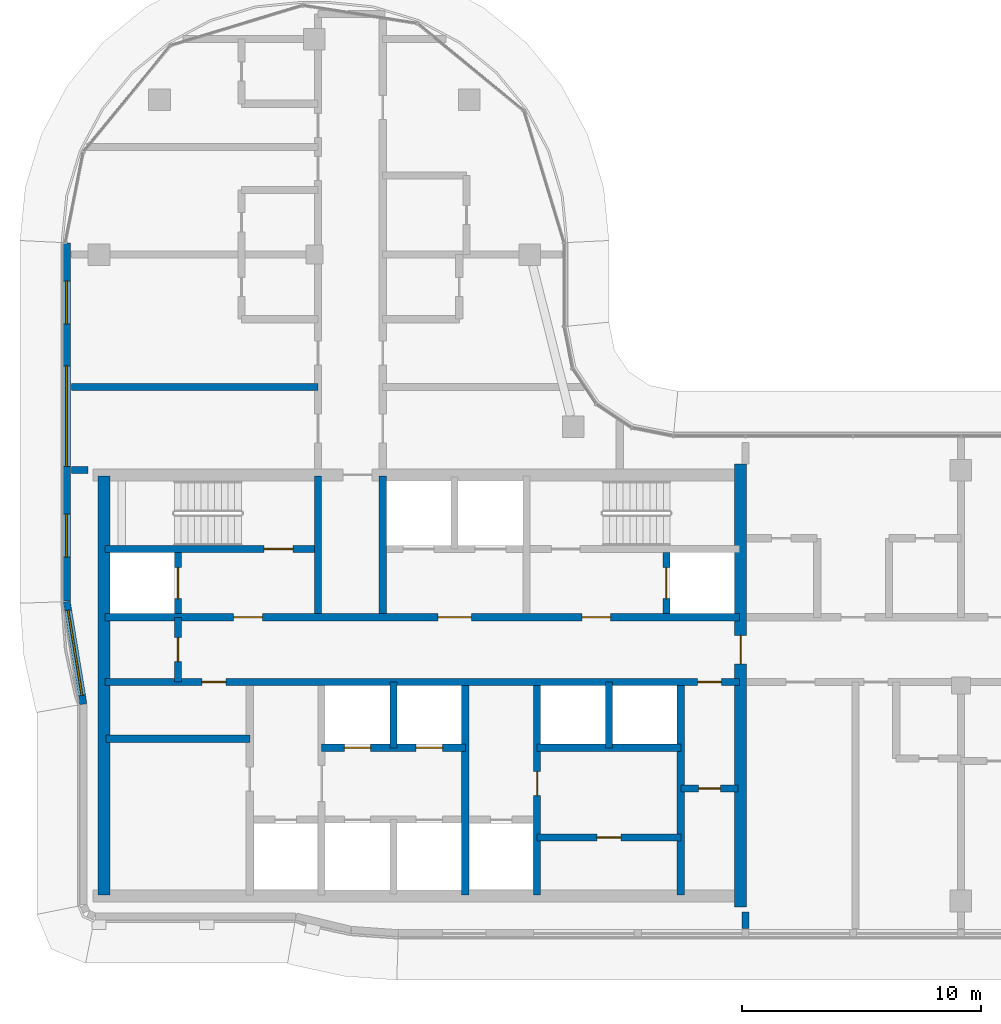
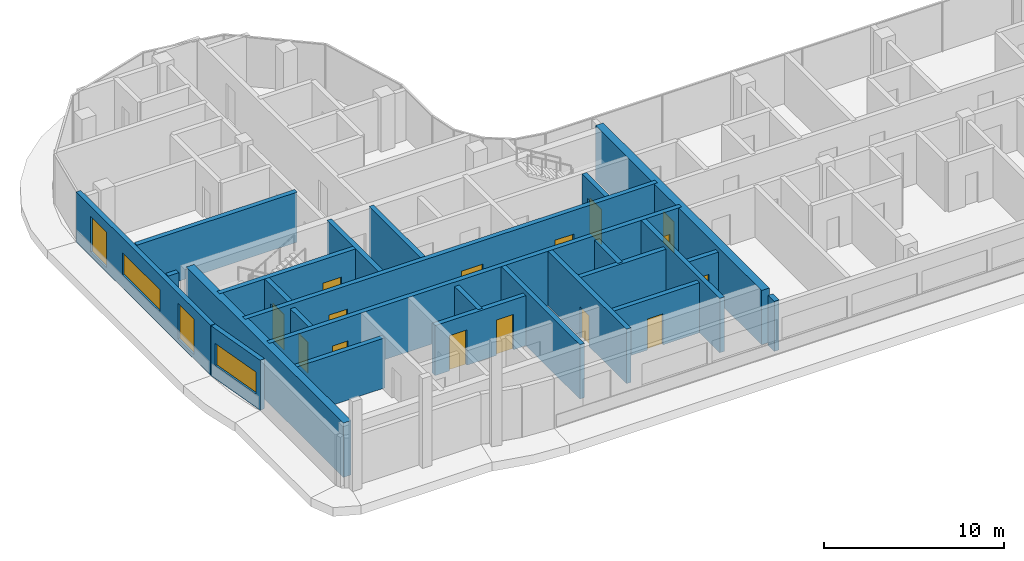
# One storey, part 9 of 21: 25 walls, 15 doors, 4 windows, 19 openings.
"""IFC4 building model written with IfcOpenShell, lengths in metres."""

from ifc_helpers import new_model, si_unit, direction, frame, frame_2d, origin, place, context, subcontext, project, spatial, rectangle, extrude, material, layer, layer_set, type_object, element, fill, save


model = new_model("IFC4")

# Units and contexts
model_context = context("Model", 3, precision=1e-05, world=origin(), true_north=direction((0.0, 1.0)))
body_context = subcontext(model_context, "Body", "Model", "MODEL_VIEW")
ifc_project = project(units=[si_unit("LENGTHUNIT", "METRE"), si_unit("AREAUNIT", "SQUARE_METRE"), si_unit("VOLUMEUNIT", "CUBIC_METRE"), si_unit("PLANEANGLEUNIT", "RADIAN"), si_unit("MASSUNIT", "GRAM", prefix="KILO")], contexts=[model_context])

# Site, building, storey
site_placement = place(None, origin())
site = spatial("IfcSite", under=ifc_project, at=site_placement, CompositionType="ELEMENT")
building_placement = place(site_placement, origin())
building = spatial("IfcBuilding", under=site, at=building_placement, Name="Ogive Portal Towers", CompositionType="ELEMENT")
storey_placement = place(building_placement, frame((0.0, 0.0, 225.39990234375)))
storey = spatial("IfcBuildingStorey", under=building, at=storey_placement, Name="L56", CompositionType="ELEMENT", Elevation=225.39990234375)

# Wall
ifc_material_1 = material(Name="Concrete C60/75", Category="concrete")
ifc_layer_1 = layer(ifc_material_1, 0.300048828125)
ifc_layer_set_1 = layer_set([ifc_layer_1], Name="CORE WALL 300 C60")
wall_type_1 = type_object("IfcWallType", Name="CORE WALL 300 C60", PredefinedType="SHEAR", material=ifc_layer_set_1)
wall_1_placement = place(storey_placement, frame((46.800048828125, 21.75, 0.0), z_axis=(0.0, 0.0, 1.0), x_axis=(0.0, 1.0, 0.0)))
element("IfcWall", 1, at=wall_1_placement, inside=storey, type_object=wall_type_1, Name="Core wall X3 L56", PredefinedType="SHEAR", context=body_context, shape_type="SweptSolid", body=[
    extrude(rectangle(XDim=8.75, YDim=0.300048828125, at=frame_2d((4.375, 0.0))), origin(), (0.0, 0.0, 1.0), 3.7001953125),
])

# Wall, opening, door
wall_2_placement = place(storey_placement, frame((49.800048828125, 21.75, 0.0), z_axis=(0.0, 0.0, 1.0), x_axis=(0.0, 1.0, 0.0)))
wall_2 = element("IfcWall", 2, at=wall_2_placement, inside=storey, type_object=wall_type_1, Name="Core wall X4 L56", PredefinedType="SHEAR", context=body_context, shape_type="SweptSolid", body=[
    extrude(rectangle(XDim=8.75, YDim=0.300048828125, at=frame_2d((4.375, 0.0))), origin(), (0.0, 0.0, 1.0), 3.7001953125),
])
opening_1_placement = place(wall_2_placement, frame((4.14990234375, 0.0, 0.0)))
opening_1 = element("IfcOpeningElement", 3, at=opening_1_placement, cuts=wall_2, Name="Opening D25-023", PredefinedType="OPENING", context=body_context, shape_type="SweptSolid", body=[
    extrude(rectangle(XDim=1.0, YDim=2.10009765625, at=frame_2d((0.5, 1.050048828125))), frame((0.0, 0.16015625, 0.0), z_axis=(0.0, -1.0, 0.0), x_axis=(1.0, 0.0, 0.0)), (0.0, 0.0, 1.0), 0.320068359375),
])
ifc_material_2 = material(Name="Steel fire door", Category="steel")
door_type_1 = type_object("IfcDoorType", Name="DT-SWING-1000x2100-FD90S", OperationType="SINGLE_SWING_LEFT", PredefinedType="DOOR", material=ifc_material_2)
door_1_placement = place(opening_1_placement, origin())
door_1 = element("IfcDoor", 4, at=door_1_placement, inside=storey, type_object=door_type_1, Name="Door D25-023", OperationType="SINGLE_SWING_LEFT", OverallHeight=2.10009765625, OverallWidth=1.0, PredefinedType="DOOR", context=body_context, shape_type="SweptSolid", body=[
    extrude(rectangle(XDim=1.0, YDim=2.10009765625, at=frame_2d((0.5, 1.050048828125))), frame((0.0, 0.02490234375, 0.0), z_axis=(0.0, -1.0, 0.0), x_axis=(1.0, 0.0, 0.0)), (0.0, 0.0, 1.0), 0.050048828125),
])
fill(opening_1, door_1)

# Wall
wall_3_placement = place(storey_placement, frame((55.800048828125, 21.75, 0.0), z_axis=(0.0, 0.0, 1.0), x_axis=(0.0, 1.0, 0.0)))
element("IfcWall", 5, at=wall_3_placement, inside=storey, type_object=wall_type_1, Name="Core wall X5 L56", PredefinedType="SHEAR", context=body_context, shape_type="SweptSolid", body=[
    extrude(rectangle(XDim=8.75, YDim=0.300048828125, at=frame_2d((4.375, 0.0))), origin(), (0.0, 0.0, 1.0), 3.7001953125),
])

# Wall, openings, doors
wall_4_placement = place(storey_placement, frame((31.75, 30.64990234375, 0.0), z_axis=(0.0, 0.0, 1.0), x_axis=(1.0, 0.0, 0.0)))
wall_4 = element("IfcWall", 6, at=wall_4_placement, inside=storey, type_object=wall_type_1, Name="Core wall Y1 L56", PredefinedType="SHEAR", context=body_context, shape_type="SweptSolid", body=[
    extrude(rectangle(XDim=26.5, YDim=0.300048828125, at=frame_2d((13.25, 0.0))), origin(), (0.0, 0.0, 1.0), 3.7001953125),
])
opening_2_placement = place(wall_4_placement, frame((24.75, 0.0, 0.0)))
opening_2 = element("IfcOpeningElement", 7, at=opening_2_placement, cuts=wall_4, Name="Opening D25-009", PredefinedType="OPENING", context=body_context, shape_type="SweptSolid", body=[
    extrude(rectangle(XDim=1.0, YDim=2.10009765625, at=frame_2d((0.5, 1.050048828125))), frame((0.0, 0.16015625, 0.0), z_axis=(0.0, -1.0, 0.0), x_axis=(1.0, 0.0, 0.0)), (0.0, 0.0, 1.0), 0.320068359375),
])
opening_3_placement = place(wall_4_placement, frame((4.050048828125, 0.0, 0.0)))
opening_3 = element("IfcOpeningElement", 8, at=opening_3_placement, cuts=wall_4, Name="Opening D25-021", PredefinedType="OPENING", context=body_context, shape_type="SweptSolid", body=[
    extrude(rectangle(XDim=1.0, YDim=2.10009765625, at=frame_2d((0.5, 1.050048828125))), frame((0.0, 0.16015625, 0.0), z_axis=(0.0, -1.0, 0.0), x_axis=(1.0, 0.0, 0.0)), (0.0, 0.0, 1.0), 0.320068359375),
])
door_2_placement = place(opening_2_placement, origin())
door_2 = element("IfcDoor", 9, at=door_2_placement, inside=storey, type_object=door_type_1, Name="Door D25-009", OperationType="SINGLE_SWING_LEFT", OverallHeight=2.10009765625, OverallWidth=1.0, PredefinedType="DOOR", context=body_context, shape_type="SweptSolid", body=[
    extrude(rectangle(XDim=1.0, YDim=2.10009765625, at=frame_2d((0.5, 1.050048828125))), frame((0.0, 0.02490234375, 0.0), z_axis=(0.0, -1.0, 0.0), x_axis=(1.0, 0.0, 0.0)), (0.0, 0.0, 1.0), 0.050048828125),
])
fill(opening_2, door_2)
door_3_placement = place(opening_3_placement, origin())
door_3 = element("IfcDoor", 10, at=door_3_placement, inside=storey, type_object=door_type_1, Name="Riser access door D25-021", OperationType="SINGLE_SWING_LEFT", OverallHeight=2.10009765625, OverallWidth=1.0, PredefinedType="DOOR", context=body_context, shape_type="SweptSolid", body=[
    extrude(rectangle(XDim=1.0, YDim=2.10009765625, at=frame_2d((0.5, 1.050048828125))), frame((0.0, 0.02490234375, 0.0), z_axis=(0.0, -1.0, 0.0), x_axis=(1.0, 0.0, 0.0)), (0.0, 0.0, 1.0), 0.050048828125),
])
fill(opening_3, door_3)

wall_5_placement = place(storey_placement, frame((31.75, 33.35009765625, 0.0), z_axis=(0.0, 0.0, 1.0), x_axis=(1.0, 0.0, 0.0)))
wall_5 = element("IfcWall", 11, at=wall_5_placement, inside=storey, type_object=wall_type_1, Name="Core wall Y2 L56", PredefinedType="SHEAR", context=body_context, shape_type="SweptSolid", body=[
    extrude(rectangle(XDim=26.5, YDim=0.300048828125, at=frame_2d((13.25, 0.0))), origin(), (0.0, 0.0, 1.0), 3.7001953125),
])
opening_4_placement = place(wall_5_placement, frame((13.89990234375, 0.0, 0.0)))
opening_4 = element("IfcOpeningElement", 12, at=opening_4_placement, cuts=wall_5, Name="Opening D25-002", PredefinedType="OPENING", context=body_context, shape_type="SweptSolid", body=[
    extrude(rectangle(XDim=1.39990234375, YDim=2.10009765625, at=frame_2d((0.699951171875, 1.050048828125))), frame((0.0, 0.16015625, 0.0), z_axis=(0.0, -1.0, 0.0), x_axis=(1.0, 0.0, 0.0)), (0.0, 0.0, 1.0), 0.320068359375),
])
opening_5_placement = place(wall_5_placement, frame((5.375, 0.0, 0.0)))
opening_5 = element("IfcOpeningElement", 13, at=opening_5_placement, cuts=wall_5, Name="Opening D25-003", PredefinedType="OPENING", context=body_context, shape_type="SweptSolid", body=[
    extrude(rectangle(XDim=1.199951171875, YDim=2.10009765625, at=frame_2d((0.60009765625, 1.050048828125))), frame((0.0, 0.16015625, 0.0), z_axis=(0.0, -1.0, 0.0), x_axis=(1.0, 0.0, 0.0)), (0.0, 0.0, 1.0), 0.320068359375),
])
opening_6_placement = place(wall_5_placement, frame((19.925048828125, 0.0, 0.0)))
opening_6 = element("IfcOpeningElement", 14, at=opening_6_placement, cuts=wall_5, Name="Opening D25-004", PredefinedType="OPENING", context=body_context, shape_type="SweptSolid", body=[
    extrude(rectangle(XDim=1.199951171875, YDim=2.10009765625, at=frame_2d((0.60009765625, 1.050048828125))), frame((0.0, 0.16015625, 0.0), z_axis=(0.0, -1.0, 0.0), x_axis=(1.0, 0.0, 0.0)), (0.0, 0.0, 1.0), 0.320068359375),
])
door_type_2 = type_object("IfcDoorType", Name="DT-SWING-1200x2100-FD90S", OperationType="SINGLE_SWING_LEFT", PredefinedType="DOOR", material=ifc_material_2)
door_4_placement = place(opening_5_placement, origin())
door_4 = element("IfcDoor", 15, at=door_4_placement, inside=storey, type_object=door_type_2, Name="Door D25-003", OperationType="SINGLE_SWING_LEFT", OverallHeight=2.10009765625, OverallWidth=1.199951171875, PredefinedType="DOOR", context=body_context, shape_type="SweptSolid", body=[
    extrude(rectangle(XDim=1.199951171875, YDim=2.10009765625, at=frame_2d((0.60009765625, 1.050048828125))), frame((0.0, 0.02490234375, 0.0), z_axis=(0.0, -1.0, 0.0), x_axis=(1.0, 0.0, 0.0)), (0.0, 0.0, 1.0), 0.050048828125),
])
fill(opening_5, door_4)
door_5_placement = place(opening_6_placement, origin())
door_5 = element("IfcDoor", 16, at=door_5_placement, inside=storey, type_object=door_type_2, Name="Door D25-004", OperationType="SINGLE_SWING_RIGHT", OverallHeight=2.10009765625, OverallWidth=1.199951171875, PredefinedType="DOOR", context=body_context, shape_type="SweptSolid", body=[
    extrude(rectangle(XDim=1.199951171875, YDim=2.10009765625, at=frame_2d((0.60009765625, 1.050048828125))), frame((0.0, 0.02490234375, 0.0), z_axis=(0.0, -1.0, 0.0), x_axis=(1.0, 0.0, 0.0)), (0.0, 0.0, 1.0), 0.050048828125),
])
fill(opening_6, door_5)
door_type_3 = type_object("IfcDoorType", Name="DT-SWING-1400x2100-FD90S", OperationType="SINGLE_SWING_LEFT", PredefinedType="DOOR", material=ifc_material_2)
door_6_placement = place(opening_4_placement, origin())
door_6 = element("IfcDoor", 17, at=door_6_placement, inside=storey, type_object=door_type_3, Name="Door D25-002", OperationType="SINGLE_SWING_RIGHT", OverallHeight=2.10009765625, OverallWidth=1.39990234375, PredefinedType="DOOR", context=body_context, shape_type="SweptSolid", body=[
    extrude(rectangle(XDim=1.39990234375, YDim=2.10009765625, at=frame_2d((0.699951171875, 1.050048828125))), frame((0.0, 0.02490234375, 0.0), z_axis=(0.0, -1.0, 0.0), x_axis=(1.0, 0.0, 0.0)), (0.0, 0.0, 1.0), 0.050048828125),
])
fill(opening_4, door_6)

# Wall, opening, door
wall_6_placement = place(storey_placement, frame((31.75, 36.199951171875, 0.0), z_axis=(0.0, 0.0, 1.0), x_axis=(1.0, 0.0, 0.0)))
wall_6 = element("IfcWall", 18, at=wall_6_placement, inside=storey, type_object=wall_type_1, Name="Core wall Y3a L56", PredefinedType="SHEAR", context=body_context, shape_type="SweptSolid", body=[
    extrude(rectangle(XDim=8.75, YDim=0.300048828125, at=frame_2d((4.375, 0.0))), origin(), (0.0, 0.0, 1.0), 3.7001953125),
])
opening_7_placement = place(wall_6_placement, frame((6.64990234375, 0.0, 0.0)))
opening_7 = element("IfcOpeningElement", 19, at=opening_7_placement, cuts=wall_6, Name="Opening D25-005", PredefinedType="OPENING", context=body_context, shape_type="SweptSolid", body=[
    extrude(rectangle(XDim=1.199951171875, YDim=2.10009765625, at=frame_2d((0.60009765625, 1.050048828125))), frame((0.0, 0.16015625, 0.0), z_axis=(0.0, -1.0, 0.0), x_axis=(1.0, 0.0, 0.0)), (0.0, 0.0, 1.0), 0.320068359375),
])
door_7_placement = place(opening_7_placement, origin())
door_7 = element("IfcDoor", 20, at=door_7_placement, inside=storey, type_object=door_type_2, Name="Door D25-005", OperationType="SINGLE_SWING_RIGHT", OverallHeight=2.10009765625, OverallWidth=1.199951171875, PredefinedType="DOOR", context=body_context, shape_type="SweptSolid", body=[
    extrude(rectangle(XDim=1.199951171875, YDim=2.10009765625, at=frame_2d((0.60009765625, 1.050048828125))), frame((0.0, 0.02490234375, 0.0), z_axis=(0.0, -1.0, 0.0), x_axis=(1.0, 0.0, 0.0)), (0.0, 0.0, 1.0), 0.050048828125),
])
fill(opening_7, door_7)

# Walls
for number, where, z_axis, x_axis, name in (
    (21, (40.64990234375, 33.5, 0.0), (0.0, 0.0, 1.0), (0.0, 1.0, 0.0), "Core wall X6 L56"),
    (22, (43.35009765625, 33.5, 0.0), (0.0, 0.0, 1.0), (0.0, 1.0, 0.0), "Core wall X7 L56"),
):
    element("IfcWall", number, at=place(storey_placement, frame(where, z_axis=z_axis, x_axis=x_axis)), inside=storey, type_object=wall_type_1, Name=name, PredefinedType="SHEAR", context=body_context, shape_type="SweptSolid", body=[
        extrude(rectangle(XDim=5.75, YDim=0.300048828125, at=frame_2d((2.875, 0.0))), origin(), (0.0, 0.0, 1.0), 3.7001953125),
    ])

# Wall, opening, door
wall_7_placement = place(storey_placement, frame((34.800048828125, 33.5, 0.0), z_axis=(0.0, 0.0, 1.0), x_axis=(0.0, 1.0, 0.0)))
wall_7 = element("IfcWall", 23, at=wall_7_placement, inside=storey, type_object=wall_type_1, Name="Core wall X8 L56", PredefinedType="SHEAR", context=body_context, shape_type="SweptSolid", body=[
    extrude(rectangle(XDim=2.550048828125, YDim=0.300048828125, at=frame_2d((1.27490234375, 0.0))), origin(), (0.0, 0.0, 1.0), 3.7001953125),
])
opening_8_placement = place(wall_7_placement, frame((0.625, 0.0, 0.0)))
opening_8 = element("IfcOpeningElement", 24, at=opening_8_placement, cuts=wall_7, Name="Opening D25-019", PredefinedType="OPENING", context=body_context, shape_type="SweptSolid", body=[
    extrude(rectangle(XDim=1.300048828125, YDim=2.39990234375, at=frame_2d((0.64990234375, 1.199951171875))), frame((0.0, 0.16015625, 0.0), z_axis=(0.0, -1.0, 0.0), x_axis=(1.0, 0.0, 0.0)), (0.0, 0.0, 1.0), 0.320068359375),
])
ifc_material_3 = material(Name="Stainless steel", Category="steel")
door_type_4 = type_object("IfcDoorType", Name="DT-LD-1300x2400", OperationType="SLIDING_TO_LEFT", PredefinedType="DOOR", material=ifc_material_3)
door_8_placement = place(opening_8_placement, origin())
door_8 = element("IfcDoor", 25, at=door_8_placement, inside=storey, type_object=door_type_4, Name="Door D25-019", OperationType="SLIDING_TO_LEFT", OverallHeight=2.39990234375, OverallWidth=1.300048828125, PredefinedType="DOOR", context=body_context, shape_type="SweptSolid", body=[
    extrude(rectangle(XDim=1.300048828125, YDim=2.39990234375, at=frame_2d((0.64990234375, 1.199951171875))), frame((0.0, 0.02490234375, 0.0), z_axis=(0.0, -1.0, 0.0), x_axis=(1.0, 0.0, 0.0)), (0.0, 0.0, 1.0), 0.050048828125),
])
fill(opening_8, door_8)

wall_8_placement = place(storey_placement, frame((55.199951171875, 33.5, 0.0), z_axis=(0.0, 0.0, 1.0), x_axis=(0.0, 1.0, 0.0)))
wall_8 = element("IfcWall", 26, at=wall_8_placement, inside=storey, type_object=wall_type_1, Name="Core wall X10 L56", PredefinedType="SHEAR", context=body_context, shape_type="SweptSolid", body=[
    extrude(rectangle(XDim=2.550048828125, YDim=0.300048828125, at=frame_2d((1.27490234375, 0.0))), origin(), (0.0, 0.0, 1.0), 3.7001953125),
])
opening_9_placement = place(wall_8_placement, frame((0.625, 0.0, 0.0)))
opening_9 = element("IfcOpeningElement", 27, at=opening_9_placement, cuts=wall_8, Name="Opening D25-020", PredefinedType="OPENING", context=body_context, shape_type="SweptSolid", body=[
    extrude(rectangle(XDim=1.300048828125, YDim=2.39990234375, at=frame_2d((0.64990234375, 1.199951171875))), frame((0.0, 0.16015625, 0.0), z_axis=(0.0, -1.0, 0.0), x_axis=(1.0, 0.0, 0.0)), (0.0, 0.0, 1.0), 0.320068359375),
])
door_9_placement = place(opening_9_placement, origin())
door_9 = element("IfcDoor", 28, at=door_9_placement, inside=storey, type_object=door_type_4, Name="Door D25-020", OperationType="SLIDING_TO_LEFT", OverallHeight=2.39990234375, OverallWidth=1.300048828125, PredefinedType="DOOR", context=body_context, shape_type="SweptSolid", body=[
    extrude(rectangle(XDim=1.300048828125, YDim=2.39990234375, at=frame_2d((0.64990234375, 1.199951171875))), frame((0.0, 0.02490234375, 0.0), z_axis=(0.0, -1.0, 0.0), x_axis=(1.0, 0.0, 0.0)), (0.0, 0.0, 1.0), 0.050048828125),
])
fill(opening_9, door_9)

# Wall
ifc_layer_2 = layer(ifc_material_1, 0.5)
ifc_layer_set_2 = layer_set([ifc_layer_2], Name="CORE WALL 500 C60")
wall_type_2 = type_object("IfcWallType", Name="CORE WALL 500 C60", PredefinedType="SHEAR", material=ifc_layer_set_2)
wall_9_placement = place(storey_placement, frame((31.699951171875, 21.75, 0.0), z_axis=(0.0, 0.0, 1.0), x_axis=(0.0, 1.0, 0.0)))
element("IfcWall", 29, at=wall_9_placement, inside=storey, type_object=wall_type_2, Name="Core wall W L56", PredefinedType="SHEAR", context=body_context, shape_type="SweptSolid", body=[
    extrude(rectangle(XDim=17.5, YDim=0.5, at=frame_2d((8.75, 0.0))), origin(), (0.0, 0.0, 1.0), 3.7001953125),
])

# Wall, opening, door
wall_10_placement = place(storey_placement, frame((58.300048828125, 21.25, 0.0), z_axis=(0.0, 0.0, 1.0), x_axis=(0.0, 1.0, 0.0)))
wall_10 = element("IfcWall", 30, at=wall_10_placement, inside=storey, type_object=wall_type_2, Name="Core wall E L56", PredefinedType="SHEAR", context=body_context, shape_type="SweptSolid", body=[
    extrude(rectangle(XDim=18.5, YDim=0.5, at=frame_2d((9.25, 0.0))), origin(), (0.0, 0.0, 1.0), 3.7001953125),
])
opening_10_placement = place(wall_10_placement, frame((10.14990234375, 0.0, 0.0)))
opening_10 = element("IfcOpeningElement", 31, at=opening_10_placement, cuts=wall_10, Name="Opening D25-011", PredefinedType="OPENING", context=body_context, shape_type="SweptSolid", body=[
    extrude(rectangle(XDim=1.199951171875, YDim=2.10009765625, at=frame_2d((0.60009765625, 1.050048828125))), frame((0.0, 0.260009765625, 0.0), z_axis=(0.0, -1.0, 0.0), x_axis=(1.0, 0.0, 0.0)), (0.0, 0.0, 1.0), 0.52001953125),
])
door_10_placement = place(opening_10_placement, origin())
door_10 = element("IfcDoor", 32, at=door_10_placement, inside=storey, type_object=door_type_2, Name="Door D25-011", OperationType="SINGLE_SWING_LEFT", OverallHeight=2.10009765625, OverallWidth=1.199951171875, PredefinedType="DOOR", context=body_context, shape_type="SweptSolid", body=[
    extrude(rectangle(XDim=1.199951171875, YDim=2.10009765625, at=frame_2d((0.60009765625, 1.050048828125))), frame((0.0, 0.02490234375, 0.0), z_axis=(0.0, -1.0, 0.0), x_axis=(1.0, 0.0, 0.0)), (0.0, 0.0, 1.0), 0.050048828125),
])
fill(opening_10, door_10)

# Wall, openings, windows
ifc_material_4 = material(Name="Limestone cladding on lightweight block wall", Category="masonry")
ifc_layer_3 = layer(ifc_material_4, 0.300048828125)
ifc_layer_set_3 = layer_set([ifc_layer_3], Name="EXTERNAL WALL 300 STONE")
wall_type_3 = type_object("IfcWallType", Name="EXTERNAL WALL 300 STONE", PredefinedType="SOLIDWALL", material=ifc_layer_set_3)
wall_11_placement = place(storey_placement, frame((30.14990234375, 48.9921875, 0.0), z_axis=(0.0, 0.0, 1.0), x_axis=(0.0, -1.0, 0.0)))
wall_11 = element("IfcWall", 33, at=wall_11_placement, inside=storey, type_object=wall_type_3, Name="A:L56:f24:r0:wall", PredefinedType="SOLIDWALL", context=body_context, shape_type="SweptSolid", body=[
    extrude(rectangle(XDim=14.968017578125, YDim=0.300048828125, at=frame_2d((7.48388671875, 0.0))), origin(), (0.0, 0.0, 1.0), 3.400146484375),
])
opening_11_placement = place(wall_11_placement, frame((1.595947265625, 0.0, 0.300048828125)))
opening_11 = element("IfcOpeningElement", 34, at=opening_11_placement, cuts=wall_11, Name="Opening WN10", PredefinedType="OPENING", context=body_context, shape_type="SweptSolid", body=[
    extrude(rectangle(XDim=1.800048828125, YDim=2.39990234375, at=frame_2d((0.89990234375, 1.199951171875))), frame((0.0, 0.16015625, 0.0), z_axis=(0.0, -1.0, 0.0), x_axis=(1.0, 0.0, 0.0)), (0.0, 0.0, 1.0), 0.320068359375),
])
opening_12_placement = place(wall_11_placement, frame((5.14208984375, 0.0, 0.89990234375)))
opening_12 = element("IfcOpeningElement", 35, at=opening_12_placement, cuts=wall_11, Name="Opening WN11", PredefinedType="OPENING", context=body_context, shape_type="SweptSolid", body=[
    extrude(rectangle(XDim=4.199951171875, YDim=1.5, at=frame_2d((2.10009765625, 0.75))), frame((0.0, 0.16015625, 0.0), z_axis=(0.0, -1.0, 0.0), x_axis=(1.0, 0.0, 0.0)), (0.0, 0.0, 1.0), 0.320068359375),
])
opening_13_placement = place(wall_11_placement, frame((11.330078125, 0.0, 0.300048828125)))
opening_13 = element("IfcOpeningElement", 36, at=opening_13_placement, cuts=wall_11, Name="Opening WN10", PredefinedType="OPENING", context=body_context, shape_type="SweptSolid", body=[
    extrude(rectangle(XDim=1.800048828125, YDim=2.39990234375, at=frame_2d((0.89990234375, 1.199951171875))), frame((0.0, 0.16015625, 0.0), z_axis=(0.0, -1.0, 0.0), x_axis=(1.0, 0.0, 0.0)), (0.0, 0.0, 1.0), 0.320068359375),
])
ifc_material_5 = material(Name="Glass, clear low-iron insulated glazing", Category="glass")
window_type_1 = type_object("IfcWindowType", Name="WINDOW RIBBON 4200x1500", PartitioningType="TRIPLE_PANEL_VERTICAL", PredefinedType="WINDOW", material=ifc_material_5)
window_1_placement = place(opening_12_placement, origin())
window_1 = element("IfcWindow", 37, at=window_1_placement, inside=storey, type_object=window_type_1, Name="A:L56:f24:r0:w1", OverallHeight=1.5, OverallWidth=4.199951171875, PartitioningType="SINGLE_PANEL", PredefinedType="WINDOW", context=body_context, shape_type="SweptSolid", body=[
    extrude(rectangle(XDim=4.199951171875, YDim=1.5, at=frame_2d((2.10009765625, 0.75))), frame((0.0, 0.030029296875, 0.0), z_axis=(0.0, -1.0, 0.0), x_axis=(1.0, 0.0, 0.0)), (0.0, 0.0, 1.0), 0.06005859375),
])
fill(opening_12, window_1)
window_type_2 = type_object("IfcWindowType", Name="WINDOW SUITE CORNER 1800x2400", PartitioningType="DOUBLE_PANEL_VERTICAL", PredefinedType="WINDOW", material=ifc_material_5)
window_2_placement = place(opening_11_placement, origin())
window_2 = element("IfcWindow", 38, at=window_2_placement, inside=storey, type_object=window_type_2, Name="A:L56:f24:r0:w0", OverallHeight=2.39990234375, OverallWidth=1.800048828125, PartitioningType="SINGLE_PANEL", PredefinedType="WINDOW", context=body_context, shape_type="SweptSolid", body=[
    extrude(rectangle(XDim=1.800048828125, YDim=2.39990234375, at=frame_2d((0.89990234375, 1.199951171875))), frame((0.0, 0.030029296875, 0.0), z_axis=(0.0, -1.0, 0.0), x_axis=(1.0, 0.0, 0.0)), (0.0, 0.0, 1.0), 0.06005859375),
])
fill(opening_11, window_2)
window_3_placement = place(opening_13_placement, origin())
window_3 = element("IfcWindow", 39, at=window_3_placement, inside=storey, type_object=window_type_2, Name="A:L56:f24:r0:w2", OverallHeight=2.39990234375, OverallWidth=1.800048828125, PartitioningType="SINGLE_PANEL", PredefinedType="WINDOW", context=body_context, shape_type="SweptSolid", body=[
    extrude(rectangle(XDim=1.800048828125, YDim=2.39990234375, at=frame_2d((0.89990234375, 1.199951171875))), frame((0.0, 0.030029296875, 0.0), z_axis=(0.0, -1.0, 0.0), x_axis=(1.0, 0.0, 0.0)), (0.0, 0.0, 1.0), 0.06005859375),
])
fill(opening_13, window_3)

# Wall, opening, window
wall_12_placement = place(storey_placement, frame((30.15185546875, 34.000244140625, 0.0), z_axis=(0.0, 0.0, 1.0), x_axis=(0.160697303067, -0.987003736967, 0.0)))
wall_12 = element("IfcWall", 40, at=wall_12_placement, inside=storey, type_object=wall_type_3, Name="A:L56:f25:r0:wall", PredefinedType="SOLIDWALL", context=body_context, shape_type="SweptSolid", body=[
    extrude(rectangle(XDim=4.3330078125, YDim=0.300048828125, at=frame_2d((2.16650390625, 0.0))), origin(), (0.0, 0.0, 1.0), 3.400146484375),
])
opening_14_placement = place(wall_12_placement, frame((0.366455078125, 0.0, 0.89990234375)))
opening_14 = element("IfcOpeningElement", 41, at=opening_14_placement, cuts=wall_12, Name="Opening WN12", PredefinedType="OPENING", context=body_context, shape_type="SweptSolid", body=[
    extrude(rectangle(XDim=3.60009765625, YDim=1.5, at=frame_2d((1.800048828125, 0.75))), frame((0.0, 0.16015625, 0.0), z_axis=(0.0, -1.0, 0.0), x_axis=(1.0, 0.0, 0.0)), (0.0, 0.0, 1.0), 0.320068359375),
])
window_type_3 = type_object("IfcWindowType", Name="WINDOW RIBBON 3600x1500", PartitioningType="TRIPLE_PANEL_VERTICAL", PredefinedType="WINDOW", material=ifc_material_5)
window_4_placement = place(opening_14_placement, origin())
window_4 = element("IfcWindow", 42, at=window_4_placement, inside=storey, type_object=window_type_3, Name="A:L56:f25:r0:w0", OverallHeight=1.5, OverallWidth=3.60009765625, PartitioningType="SINGLE_PANEL", PredefinedType="WINDOW", context=body_context, shape_type="SweptSolid", body=[
    extrude(rectangle(XDim=3.60009765625, YDim=1.5, at=frame_2d((1.800048828125, 0.75))), frame((0.0, 0.030029296875, 0.0), z_axis=(0.0, -1.0, 0.0), x_axis=(1.0, 0.0, 0.0)), (0.0, 0.0, 1.0), 0.06005859375),
])
fill(opening_14, window_4)

# Wall, opening, door
ifc_material_6 = material(Name="Gypsum board partition on steel studs", Category="steel")
ifc_layer_4 = layer(ifc_material_6, 0.300048828125)
ifc_layer_set_4 = layer_set([ifc_layer_4], Name="WT-PART-300")
wall_type_4 = type_object("IfcWallType", Name="WT-PART-300", PredefinedType="PARTITIONING", material=ifc_layer_set_4)
wall_13_placement = place(storey_placement, frame((49.800048828125, 24.14990234375, 0.0), z_axis=(0.0, 0.0, 1.0), x_axis=(1.0, 0.0, 0.0)))
wall_13 = element("IfcWall", 43, at=wall_13_placement, inside=storey, type_object=wall_type_4, Name="Wall pw:001:L56", PredefinedType="PARTITIONING", context=body_context, shape_type="SweptSolid", body=[
    extrude(rectangle(XDim=6.0, YDim=0.300048828125, at=frame_2d((3.0, 0.0))), origin(), (0.0, 0.0, 1.0), 3.400146484375),
])
opening_15_placement = place(wall_13_placement, frame((2.5, 0.0, 0.0)))
opening_15 = element("IfcOpeningElement", 44, at=opening_15_placement, cuts=wall_13, Name="Opening D25-024", PredefinedType="OPENING", context=body_context, shape_type="SweptSolid", body=[
    extrude(rectangle(XDim=1.0, YDim=2.10009765625, at=frame_2d((0.5, 1.050048828125))), frame((0.0, 0.16015625, 0.0), z_axis=(0.0, -1.0, 0.0), x_axis=(1.0, 0.0, 0.0)), (0.0, 0.0, 1.0), 0.320068359375),
])
door_type_5 = type_object("IfcDoorType", Name="DT-SWING-1000x2100-FD60S", OperationType="SINGLE_SWING_LEFT", PredefinedType="DOOR", material=ifc_material_2)
door_11_placement = place(opening_15_placement, origin())
door_11 = element("IfcDoor", 45, at=door_11_placement, inside=storey, type_object=door_type_5, Name="Door D25-024", OperationType="SINGLE_SWING_RIGHT", OverallHeight=2.10009765625, OverallWidth=1.0, PredefinedType="DOOR", context=body_context, shape_type="SweptSolid", body=[
    extrude(rectangle(XDim=1.0, YDim=2.10009765625, at=frame_2d((0.5, 1.050048828125))), frame((0.0, 0.02490234375, 0.0), z_axis=(0.0, -1.0, 0.0), x_axis=(1.0, 0.0, 0.0)), (0.0, 0.0, 1.0), 0.050048828125),
])
fill(opening_15, door_11)

wall_14_placement = place(storey_placement, frame((55.800048828125, 26.199951171875, 0.0), z_axis=(0.0, 0.0, 1.0), x_axis=(1.0, 0.0, 0.0)))
wall_14 = element("IfcWall", 46, at=wall_14_placement, inside=storey, type_object=wall_type_4, Name="Wall pw:003:L56", PredefinedType="PARTITIONING", context=body_context, shape_type="SweptSolid", body=[
    extrude(rectangle(XDim=2.39990234375, YDim=0.300048828125, at=frame_2d((1.199951171875, 0.0))), origin(), (0.0, 0.0, 1.0), 3.400146484375),
])
opening_16_placement = place(wall_14_placement, frame((0.75, 0.0, 0.0)))
opening_16 = element("IfcOpeningElement", 47, at=opening_16_placement, cuts=wall_14, Name="Opening D25-010", PredefinedType="OPENING", context=body_context, shape_type="SweptSolid", body=[
    extrude(rectangle(XDim=0.89990234375, YDim=2.10009765625, at=frame_2d((0.449951171875, 1.050048828125))), frame((0.0, 0.16015625, 0.0), z_axis=(0.0, -1.0, 0.0), x_axis=(1.0, 0.0, 0.0)), (0.0, 0.0, 1.0), 0.320068359375),
])
door_type_6 = type_object("IfcDoorType", Name="DT-SWING-900x2100-FD60S", OperationType="SINGLE_SWING_LEFT", PredefinedType="DOOR", material=ifc_material_2)
door_12_placement = place(opening_16_placement, origin())
door_12 = element("IfcDoor", 48, at=door_12_placement, inside=storey, type_object=door_type_6, Name="Door D25-010", OperationType="SINGLE_SWING_RIGHT", OverallHeight=2.10009765625, OverallWidth=0.89990234375, PredefinedType="DOOR", context=body_context, shape_type="SweptSolid", body=[
    extrude(rectangle(XDim=0.89990234375, YDim=2.10009765625, at=frame_2d((0.449951171875, 1.050048828125))), frame((0.0, 0.02490234375, 0.0), z_axis=(0.0, -1.0, 0.0), x_axis=(1.0, 0.0, 0.0)), (0.0, 0.0, 1.0), 0.050048828125),
])
fill(opening_16, door_12)

# Walls
wall_15_placement = place(storey_placement, frame((31.800048828125, 28.277099609375, 0.0), z_axis=(0.0, 0.0, 1.0), x_axis=(1.0, 0.0, 0.0)))
element("IfcWall", 49, at=wall_15_placement, inside=storey, type_object=wall_type_4, Name="Wall pw:006:L56", PredefinedType="PARTITIONING", context=body_context, shape_type="SweptSolid", body=[
    extrude(rectangle(XDim=6.0, YDim=0.300048828125, at=frame_2d((3.0, 0.0))), origin(), (0.0, 0.0, 1.0), 3.400146484375),
])
ifc_layer_5 = layer(ifc_material_6, 0.300048828125)
ifc_layer_set_5 = layer_set([ifc_layer_5], Name="WT-PART-300-EI 60")
wall_type_5 = type_object("IfcWallType", Name="WT-PART-300-EI 60", PredefinedType="PARTITIONING", material=ifc_layer_set_5)
wall_16_placement = place(storey_placement, frame((30.35009765625, 39.5, 0.0), z_axis=(0.0, 0.0, 1.0), x_axis=(1.0, 0.0, 0.0)))
element("IfcWall", 50, at=wall_16_placement, inside=storey, type_object=wall_type_5, Name="Wall L56:w014", PredefinedType="PARTITIONING", context=body_context, shape_type="SweptSolid", body=[
    extrude(rectangle(XDim=0.679931640625, YDim=0.300048828125, at=frame_2d((0.33984375, 0.0))), origin(), (0.0, 0.0, 1.0), 3.400146484375),
])
wall_17_placement = place(storey_placement, frame((30.35009765625, 42.969970703125, 0.0), z_axis=(0.0, 0.0, 1.0), x_axis=(1.0, 0.0, 0.0)))
element("IfcWall", 51, at=wall_17_placement, inside=storey, type_object=wall_type_5, Name="Wall L56:w015", PredefinedType="PARTITIONING", context=body_context, shape_type="SweptSolid", body=[
    extrude(rectangle(XDim=10.2998046875, YDim=0.300048828125, at=frame_2d((5.14990234375, 0.0))), origin(), (0.0, 0.0, 1.0), 3.400146484375),
])
wall_18_placement = place(storey_placement, frame((58.5, 20.35009765625, 0.0), z_axis=(0.0, 0.0, 1.0), x_axis=(0.0, 1.0, 0.0)))
element("IfcWall", 52, at=wall_18_placement, inside=storey, type_object=wall_type_5, Name="Wall L56:w035", PredefinedType="PARTITIONING", context=body_context, shape_type="SweptSolid", body=[
    extrude(rectangle(XDim=0.679931640625, YDim=0.300048828125, at=frame_2d((0.33984375, 0.0))), origin(), (0.0, 0.0, 1.0), 3.400146484375),
])

# Wall, openings, doors
ifc_material_7 = material(Name="Concrete C40/50", Category="concrete")
ifc_layer_6 = layer(ifc_material_7, 0.300048828125)
ifc_layer_set_6 = layer_set([ifc_layer_6], Name="WT-SHAFT-300")
wall_type_6 = type_object("IfcWallType", Name="WT-SHAFT-300", PredefinedType="SOLIDWALL", material=ifc_layer_set_6)
wall_19_placement = place(storey_placement, frame((40.800048828125, 27.89990234375, 0.0), z_axis=(0.0, 0.0, 1.0), x_axis=(1.0, 0.0, 0.0)))
wall_19 = element("IfcWall", 53, at=wall_19_placement, inside=storey, type_object=wall_type_6, Name="Wall pw:004:L56", PredefinedType="SOLIDWALL", context=body_context, shape_type="SweptSolid", body=[
    extrude(rectangle(XDim=6.0, YDim=0.300048828125, at=frame_2d((3.0, 0.0))), origin(), (0.0, 0.0, 1.0), 3.400146484375),
])
opening_17_placement = place(wall_19_placement, frame((0.949951171875, 0.0, 0.0)))
opening_17 = element("IfcOpeningElement", 54, at=opening_17_placement, cuts=wall_19, Name="Opening D25-015", PredefinedType="OPENING", context=body_context, shape_type="SweptSolid", body=[
    extrude(rectangle(XDim=1.10009765625, YDim=2.39990234375, at=frame_2d((0.550048828125, 1.199951171875))), frame((0.0, 0.16015625, 0.0), z_axis=(0.0, -1.0, 0.0), x_axis=(1.0, 0.0, 0.0)), (0.0, 0.0, 1.0), 0.320068359375),
])
opening_18_placement = place(wall_19_placement, frame((3.949951171875, 0.0, 0.0)))
opening_18 = element("IfcOpeningElement", 55, at=opening_18_placement, cuts=wall_19, Name="Opening D25-016", PredefinedType="OPENING", context=body_context, shape_type="SweptSolid", body=[
    extrude(rectangle(XDim=1.10009765625, YDim=2.39990234375, at=frame_2d((0.550048828125, 1.199951171875))), frame((0.0, 0.16015625, 0.0), z_axis=(0.0, -1.0, 0.0), x_axis=(1.0, 0.0, 0.0)), (0.0, 0.0, 1.0), 0.320068359375),
])
door_type_7 = type_object("IfcDoorType", Name="DT-LD-1100x2400", OperationType="SLIDING_TO_LEFT", PredefinedType="DOOR", material=ifc_material_3)
door_13_placement = place(opening_17_placement, origin())
door_13 = element("IfcDoor", 56, at=door_13_placement, inside=storey, type_object=door_type_7, Name="Door D25-015", OperationType="SLIDING_TO_LEFT", OverallHeight=2.39990234375, OverallWidth=1.10009765625, PredefinedType="DOOR", context=body_context, shape_type="SweptSolid", body=[
    extrude(rectangle(XDim=1.10009765625, YDim=2.39990234375, at=frame_2d((0.550048828125, 1.199951171875))), frame((0.0, 0.02490234375, 0.0), z_axis=(0.0, -1.0, 0.0), x_axis=(1.0, 0.0, 0.0)), (0.0, 0.0, 1.0), 0.050048828125),
])
fill(opening_17, door_13)
door_14_placement = place(opening_18_placement, origin())
door_14 = element("IfcDoor", 57, at=door_14_placement, inside=storey, type_object=door_type_7, Name="Door D25-016", OperationType="SLIDING_TO_LEFT", OverallHeight=2.39990234375, OverallWidth=1.10009765625, PredefinedType="DOOR", context=body_context, shape_type="SweptSolid", body=[
    extrude(rectangle(XDim=1.10009765625, YDim=2.39990234375, at=frame_2d((0.550048828125, 1.199951171875))), frame((0.0, 0.02490234375, 0.0), z_axis=(0.0, -1.0, 0.0), x_axis=(1.0, 0.0, 0.0)), (0.0, 0.0, 1.0), 0.050048828125),
])
fill(opening_18, door_14)

# Wall
wall_20_placement = place(storey_placement, frame((49.800048828125, 27.89990234375, 0.0), z_axis=(0.0, 0.0, 1.0), x_axis=(1.0, 0.0, 0.0)))
element("IfcWall", 58, at=wall_20_placement, inside=storey, type_object=wall_type_6, Name="Wall pw:005:L56", PredefinedType="SOLIDWALL", context=body_context, shape_type="SweptSolid", body=[
    extrude(rectangle(XDim=6.0, YDim=0.300048828125, at=frame_2d((3.0, 0.0))), origin(), (0.0, 0.0, 1.0), 3.400146484375),
])

# Wall, opening, door
wall_21_placement = place(storey_placement, frame((34.800048828125, 30.64990234375, 0.0), z_axis=(0.0, 0.0, 1.0), x_axis=(0.0, 1.0, 0.0)))
wall_21 = element("IfcWall", 59, at=wall_21_placement, inside=storey, type_object=wall_type_6, Name="Wall pw:007:L56", PredefinedType="SOLIDWALL", context=body_context, shape_type="SweptSolid", body=[
    extrude(rectangle(XDim=2.7001953125, YDim=0.300048828125, at=frame_2d((1.35009765625, 0.0))), origin(), (0.0, 0.0, 1.0), 3.400146484375),
])
opening_19_placement = place(wall_21_placement, frame((0.85009765625, 0.0, 0.0)))
opening_19 = element("IfcOpeningElement", 60, at=opening_19_placement, cuts=wall_21, Name="Opening D25-025", PredefinedType="OPENING", context=body_context, shape_type="SweptSolid", body=[
    extrude(rectangle(XDim=1.0, YDim=2.10009765625, at=frame_2d((0.5, 1.050048828125))), frame((0.0, 0.16015625, 0.0), z_axis=(0.0, -1.0, 0.0), x_axis=(1.0, 0.0, 0.0)), (0.0, 0.0, 1.0), 0.320068359375),
])
door_15_placement = place(opening_19_placement, origin())
door_15 = element("IfcDoor", 61, at=door_15_placement, inside=storey, type_object=door_type_1, Name="Door D25-025", OperationType="SINGLE_SWING_LEFT", OverallHeight=2.10009765625, OverallWidth=1.0, PredefinedType="DOOR", context=body_context, shape_type="SweptSolid", body=[
    extrude(rectangle(XDim=1.0, YDim=2.10009765625, at=frame_2d((0.5, 1.050048828125))), frame((0.0, 0.02490234375, 0.0), z_axis=(0.0, -1.0, 0.0), x_axis=(1.0, 0.0, 0.0)), (0.0, 0.0, 1.0), 0.050048828125),
])
fill(opening_19, door_15)

# Walls
for number, where, z_axis, x_axis, name in (
    (62, (43.800048828125, 27.89990234375, 0.0), (0.0, 0.0, 1.0), (0.0, 1.0, 0.0), "Wall pw:009:L56"),
    (63, (52.800048828125, 27.89990234375, 0.0), (0.0, 0.0, 1.0), (0.0, 1.0, 0.0), "Wall pw:011:L56"),
):
    element("IfcWall", number, at=place(storey_placement, frame(where, z_axis=z_axis, x_axis=x_axis)), inside=storey, type_object=wall_type_6, Name=name, PredefinedType="SOLIDWALL", context=body_context, shape_type="SweptSolid", body=[
        extrude(rectangle(XDim=2.75, YDim=0.300048828125, at=frame_2d((1.375, 0.0))), origin(), (0.0, 0.0, 1.0), 3.400146484375),
    ])

save(model, "model.ifc")
